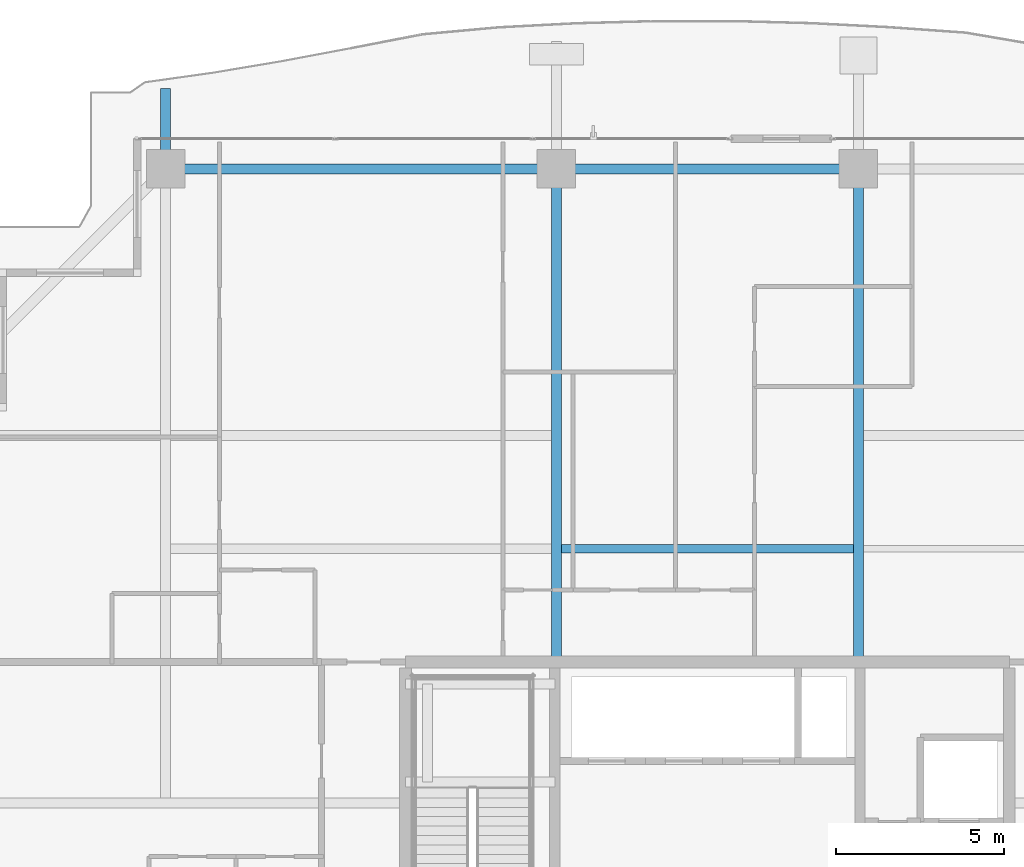
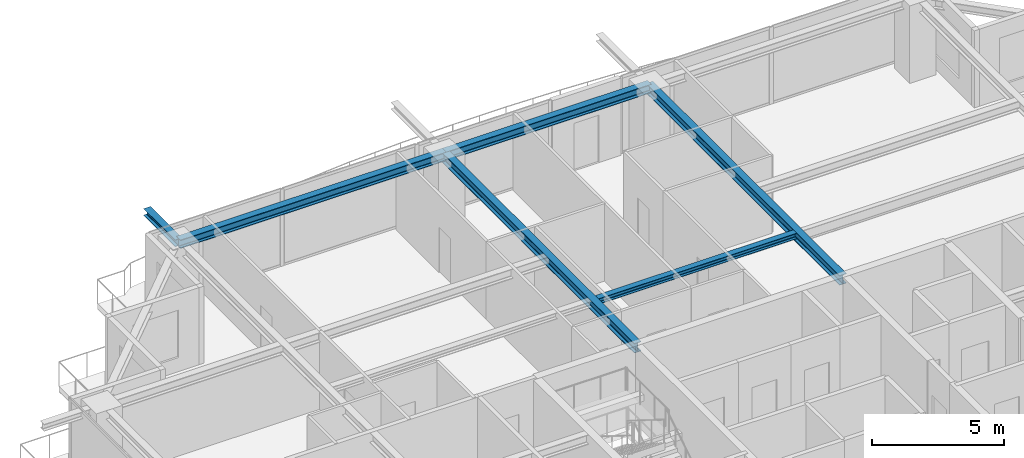
# One storey, part 19 of 38: 6 beams.
"""IFC4 building model written with IfcOpenShell, lengths in metres."""

from ifc_helpers import new_model, si_unit, direction, frame, origin, origin_2d, place, context, subcontext, project, spatial, i_section, extrude, source, transform, mapped, material, material_profile, profile_set, type_object, element, save


model = new_model("IFC4")

# Units and contexts
model_context = context("Model", 3, precision=1e-05, world=origin(), true_north=direction((0.0, 1.0)))
body_context = subcontext(model_context, "Body", "Model", "MODEL_VIEW")
ifc_project = project(units=[si_unit("LENGTHUNIT", "METRE"), si_unit("AREAUNIT", "SQUARE_METRE"), si_unit("VOLUMEUNIT", "CUBIC_METRE"), si_unit("PLANEANGLEUNIT", "RADIAN"), si_unit("MASSUNIT", "GRAM", prefix="KILO")], contexts=[model_context])

# Site, building, storey
site_placement = place(None, origin())
site = spatial("IfcSite", under=ifc_project, at=site_placement, CompositionType="ELEMENT")
building_placement = place(site_placement, origin())
building = spatial("IfcBuilding", under=site, at=building_placement, Name="Serunith Strait Residences", CompositionType="ELEMENT")
storey_placement = place(building_placement, frame((0.0, 0.0, 264.35009765625)))
storey = spatial("IfcBuildingStorey", under=building, at=storey_placement, Name="L66", CompositionType="ELEMENT", Elevation=264.35009765625)

# Beams
ifc_material = material(Name="Steel S355J2", Category="steel")
ifc_material_profile_1 = material_profile(ifc_material, i_section(OverallWidth=0.260009765625, OverallDepth=0.260009765625, WebThickness=0.010009765625, FlangeThickness=0.017578125, FilletRadius=0.02392578125, at=origin_2d()), Name="HEB 260")
ifc_profile_set_1 = profile_set([ifc_material_profile_1], Name="Steel S355J2")
beam_type_1 = type_object("IfcBeamType", Name="BM-HEB260", PredefinedType="JOIST", material=ifc_profile_set_1)
shared_shape_1 = source(origin(), body_context, "Body", "SweptSolid", [
    extrude(i_section(OverallWidth=0.260009765625, OverallDepth=0.260009765625, WebThickness=0.010009765625, FlangeThickness=0.017578125, FilletRadius=0.02392578125, at=origin_2d()), origin(), (0.0, 0.0, 1.0), 8.699951171875),
])
beam_1_placement = place(storey_placement, frame((28.050048828125, 36.97509765625, 3.456787109375), z_axis=(1.0, 0.0, 0.0), x_axis=(0.0, 1.0, 0.0)))
element("IfcBeam", 1, at=beam_1_placement, inside=storey, type_object=beam_type_1, Name="L66 Composite Floor Joist 05", PredefinedType="JOIST", context=body_context, shape_type="MappedRepresentation", body=[
    mapped(shared_shape_1, transform((0.0, 0.0, 0.0), scale=1.0)),
])
ifc_material_profile_2 = material_profile(ifc_material, i_section(OverallWidth=0.300048828125, OverallDepth=0.449951171875, WebThickness=0.013916015625, FlangeThickness=0.02587890625, FilletRadius=0.027099609375, at=origin_2d()), Name="HEB 450")
ifc_profile_set_2 = profile_set([ifc_material_profile_2], Name="Steel S355J2")
beam_type_2 = type_object("IfcBeamType", Name="BM-HEB450", PredefinedType="BEAM", material=ifc_profile_set_2)
shared_shape_2 = source(origin(), body_context, "Body", "SweptSolid", [
    extrude(i_section(OverallWidth=0.300048828125, OverallDepth=0.449951171875, WebThickness=0.013916015625, FlangeThickness=0.02587890625, FilletRadius=0.027099609375, at=origin_2d()), origin(), (0.0, 0.0, 1.0), 14.699951171875),
])
for number, where, z_axis, x_axis, name in (
    (2, (27.89990234375, 33.60009765625, 3.36181640625), (0.0, 1.0, 0.0), (-1.0, 0.0, 0.0), "L66 Primary Floor Girder TC-N2"),
    (3, (36.89990234375, 33.60009765625, 3.36181640625), (0.0, 1.0, 0.0), (-1.0, 0.0, 0.0), "L66 Primary Floor Girder TC-N3"),
):
    element("IfcBeam", number, at=place(storey_placement, frame(where, z_axis=z_axis, x_axis=x_axis)), inside=storey, type_object=beam_type_2, Name=name, PredefinedType="BEAM", context=body_context, shape_type="MappedRepresentation", body=[
        mapped(shared_shape_2, transform((0.0, 0.0, 0.0), scale=1.0)),
    ])
ifc_material_profile_3 = material_profile(ifc_material, i_section(OverallWidth=0.300048828125, OverallDepth=0.39990234375, WebThickness=0.013427734375, FlangeThickness=0.02392578125, FilletRadius=0.027099609375, at=origin_2d()), Name="HEB 400")
ifc_profile_set_3 = profile_set([ifc_material_profile_3], Name="Steel S355J2")
beam_type_3 = type_object("IfcBeamType", Name="BM-HEB400", PredefinedType="BEAM", material=ifc_profile_set_3)
shared_shape_3 = source(origin(), body_context, "Body", "SweptSolid", [
    extrude(i_section(OverallWidth=0.300048828125, OverallDepth=0.39990234375, WebThickness=0.013427734375, FlangeThickness=0.02392578125, FilletRadius=0.027099609375, at=origin_2d()), origin(), (0.0, 0.0, 1.0), 11.64990234375),
])
beam_2_placement = place(storey_placement, frame((27.89990234375, 48.300048828125, 3.386962890625), z_axis=(-1.0, 0.0, 0.0), x_axis=(0.0, -1.0, 0.0)))
element("IfcBeam", 4, at=beam_2_placement, inside=storey, type_object=beam_type_3, Name="L66 Perimeter Ring Beam 11", PredefinedType="BEAM", context=body_context, shape_type="MappedRepresentation", body=[
    mapped(shared_shape_3, transform((0.0, 0.0, 0.0), scale=1.0)),
])
shared_shape_4 = source(origin(), body_context, "Body", "SweptSolid", [
    extrude(i_section(OverallWidth=0.300048828125, OverallDepth=0.39990234375, WebThickness=0.013427734375, FlangeThickness=0.02392578125, FilletRadius=0.027099609375, at=origin_2d()), origin(), (0.0, 0.0, 1.0), 9.0),
])
beam_3_placement = place(storey_placement, frame((36.89990234375, 48.300048828125, 3.386962890625), z_axis=(-1.0, 0.0, 0.0), x_axis=(0.0, -1.0, 0.0)))
element("IfcBeam", 5, at=beam_3_placement, inside=storey, type_object=beam_type_3, Name="L66 Perimeter Ring Beam 10", PredefinedType="BEAM", context=body_context, shape_type="MappedRepresentation", body=[
    mapped(shared_shape_4, transform((0.0, 0.0, 0.0), scale=1.0)),
])
ifc_material_profile_4 = material_profile(ifc_material, i_section(OverallWidth=0.300048828125, OverallDepth=0.320068359375, WebThickness=0.011474609375, FlangeThickness=0.0205078125, FilletRadius=0.027099609375, at=origin_2d()), Name="HEB 320")
ifc_profile_set_4 = profile_set([ifc_material_profile_4], Name="Steel S355J2")
beam_type_4 = type_object("IfcBeamType", Name="BM-HEB320", PredefinedType="BEAM", material=ifc_profile_set_4)
shared_shape_5 = source(origin(), body_context, "Body", "SweptSolid", [
    extrude(i_section(OverallWidth=0.300048828125, OverallDepth=0.320068359375, WebThickness=0.011474609375, FlangeThickness=0.0205078125, FilletRadius=0.027099609375, at=origin_2d()), origin(), (0.0, 0.0, 1.0), 2.394775390625),
])
beam_4_placement = place(storey_placement, frame((16.25, 48.300048828125, 3.39697265625), z_axis=(0.0, 1.0, 0.0), x_axis=(-1.0, 0.0, 0.0)))
element("IfcBeam", 6, at=beam_4_placement, inside=storey, type_object=beam_type_4, Name="L67 Cantilevered Balcony Rib TC-N1", PredefinedType="BEAM", context=body_context, shape_type="MappedRepresentation", body=[
    mapped(shared_shape_5, transform((0.0, 0.0, 0.0), scale=1.0)),
])

save(model, "model.ifc")
